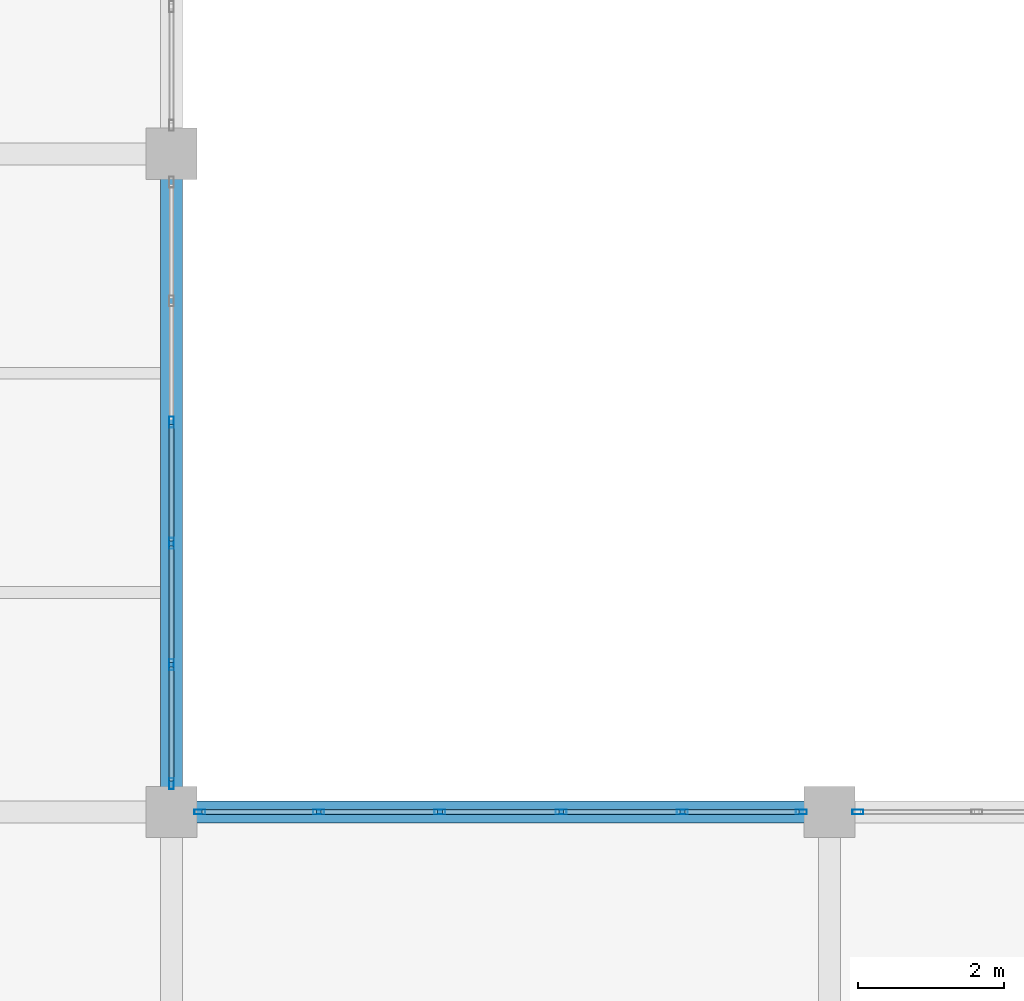
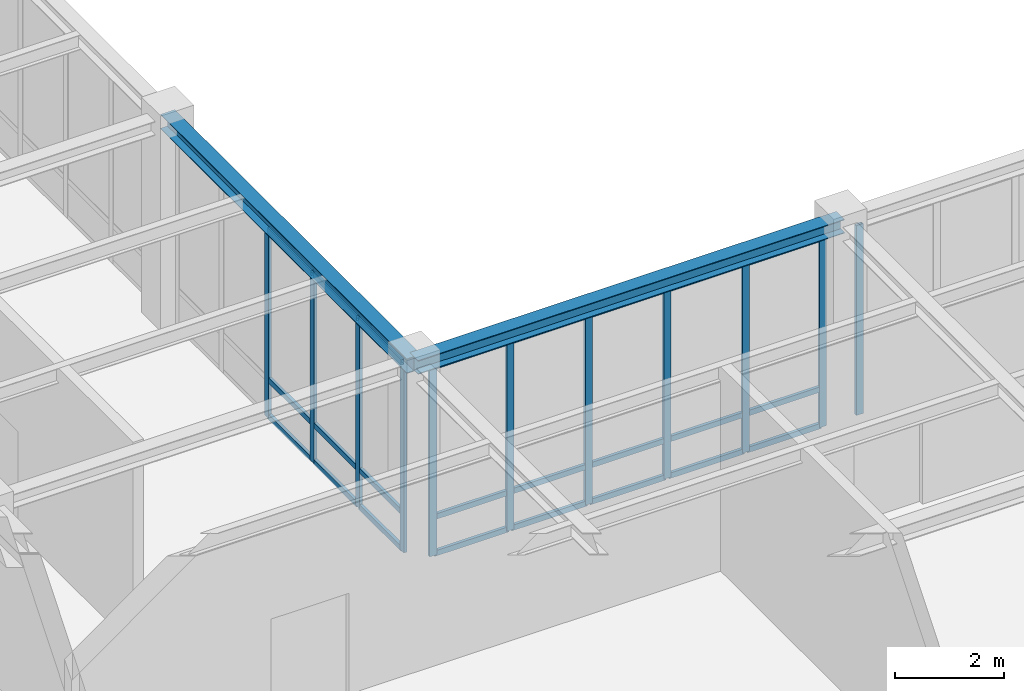
# One storey, part 30 of 98: 35 members, 2 beams, 3 elements without a shape of their own.
"""IFC4 building model written with IfcOpenShell, lengths in metres."""

import ifcopenshell
import ifcopenshell.guid

model = None  # the IFC model being written
_history = None  # IfcOwnerHistory: only IFC2X3 demands one
_inside = {}  # id of a spatial element -> (the spatial element, [elements in it])
_under = {}  # id of a project, library or spatial element -> (it, [spatial elements below it])
_declared = {}  # id of a project -> (the project, [libraries it declares])
_typed = {}  # id of a type object -> (the type object, [elements of that type])
_made_of = {}  # id of a material, layer set ... -> (it, [elements and type objects made of it])


def new_model(schema):
    """Start an empty IFC model of exactly this schema.

    Asked for "IFC4X3", IfcOpenShell would pick the latest addendum, in which some entities
    have other attributes; the version numbers below select the first issue.
    IFC2X3 requires an IfcOwnerHistory on every rooted entity: one is made here for all.
    """
    global model, _history
    if schema == "IFC4X3":
        model = ifcopenshell.file(schema_version=(4, 3, 0, 0))
    else:
        model = ifcopenshell.file(schema=schema)
    _inside.clear()
    _under.clear()
    _declared.clear()
    _typed.clear()
    _made_of.clear()
    _history = None
    if model.schema == "IFC2X3":
        org = make("IfcOrganization", Name="unknown")
        user = make(
            "IfcPersonAndOrganization",
            ThePerson=make("IfcPerson", FamilyName="unknown"),
            TheOrganization=org,
        )
        app = make(
            "IfcApplication",
            ApplicationDeveloper=org,
            Version="unknown",
            ApplicationFullName="unknown",
            ApplicationIdentifier="unknown",
        )
        _history = make(
            "IfcOwnerHistory",
            OwningUser=user,
            OwningApplication=app,
            ChangeAction="ADDED",
            CreationDate=0,
        )
    return model


def make(cls, **values):
    """One entity of the class cls with the attributes given. An attribute that is None is left unset."""
    return model.create_entity(
        cls, **{name: value for name, value in values.items() if value is not None}
    )


def rooted(cls, **values):
    """An entity with a GlobalId (a new one), such as an element, a storey or a relation."""
    return make(cls, GlobalId=ifcopenshell.guid.new(), OwnerHistory=_history, **values)


def si_unit(unit_type, name, prefix=None):
    """IfcSIUnit, for example si_unit("LENGTHUNIT", "METRE", prefix="MILLI")."""
    return make("IfcSIUnit", UnitType=unit_type, Prefix=prefix, Name=name)


def assignment(units):
    """IfcUnitAssignment: the units of a project."""
    return None if units is None else make("IfcUnitAssignment", Units=units)


def point(xyz):
    """IfcCartesianPoint."""
    return None if xyz is None else make("IfcCartesianPoint", Coordinates=xyz)


def direction(xyz):
    """IfcDirection."""
    return None if xyz is None else make("IfcDirection", DirectionRatios=xyz)


def frame(location, z_axis=None, x_axis=None):
    """IfcAxis2Placement3D, a coordinate frame: its origin and axes. An axis left out is left unset."""
    return make(
        "IfcAxis2Placement3D",
        Location=point(location),
        Axis=direction(z_axis),
        RefDirection=direction(x_axis),
    )


def frame_2d(location, x_axis=None):
    """IfcAxis2Placement2D, a coordinate frame in the plane: its origin and x axis."""
    return make(
        "IfcAxis2Placement2D", Location=point(location), RefDirection=direction(x_axis)
    )


def origin():
    """The frame at (0, 0, 0) with its axes left unset."""
    return frame((0.0, 0.0, 0.0))


def origin_2d():
    """The frame at (0, 0) in the plane with its x axis left unset."""
    return frame_2d((0.0, 0.0))


def place(relative_to, where):
    """IfcLocalPlacement: puts the frame where relative to a parent placement (None: the world)."""
    return make(
        "IfcLocalPlacement", PlacementRelTo=relative_to, RelativePlacement=where
    )


def context(
    kind, dimensions, precision=None, world=None, true_north=None, identifier=None
):
    """IfcGeometricRepresentationContext, for example the 3D "Model" context."""
    return make(
        "IfcGeometricRepresentationContext",
        ContextIdentifier=identifier,
        ContextType=kind,
        CoordinateSpaceDimension=dimensions,
        Precision=precision,
        WorldCoordinateSystem=world,
        TrueNorth=true_north,
    )


def subcontext(parent, identifier, kind, view, scale=None):
    """IfcGeometricRepresentationSubContext, for example "Body" below "Model"."""
    return make(
        "IfcGeometricRepresentationSubContext",
        ContextIdentifier=identifier,
        ContextType=kind,
        ParentContext=parent,
        TargetScale=scale,
        TargetView=view,
    )


def project(units=None, contexts=None):
    """IfcProject with its units and contexts."""
    return rooted(
        "IfcProject",
        Name="project",
        RepresentationContexts=contexts,
        UnitsInContext=assignment(units),
    )


def spatial(cls, under=None, at=None, **own):
    """A site, building, storey or space (cls), placed at a placement, below another one or the project."""
    s = rooted(cls, ObjectPlacement=at, **own)
    if under is not None:
        _under.setdefault(under.id(), (under, []))[1].append(s)
    return s


def profile(cls, at=None, kind="AREA", **sizes):
    """A parametric profile (cls). Its sizes go by their IFC names, for example OverallWidth=200.0."""
    return make(cls, ProfileType=kind, Position=at, **sizes)


def hollow_rectangle(**sizes):
    """IfcRectangleHollowProfileDef."""
    return profile("IfcRectangleHollowProfileDef", **sizes)


def i_section(**sizes):
    """IfcIShapeProfileDef."""
    return profile("IfcIShapeProfileDef", **sizes)


def extrude(swept, where, along, depth):
    """IfcExtrudedAreaSolid: the profile swept, set in the frame where, extruded along a direction by depth."""
    return make(
        "IfcExtrudedAreaSolid",
        SweptArea=swept,
        Position=where,
        ExtrudedDirection=direction(along),
        Depth=depth,
    )


def shape(context_of_items, identifier, shape_type, items):
    """IfcShapeRepresentation: the items that make up one representation, for example the "Body"."""
    return make(
        "IfcShapeRepresentation",
        ContextOfItems=context_of_items,
        RepresentationIdentifier=identifier,
        RepresentationType=shape_type,
        Items=items,
    )


def material(Name=None, Category=None):
    """IfcMaterial."""
    return make("IfcMaterial", Name=Name, Category=Category)


def material_profile(
    of_material, cross_section, Name=None, Category=None, Priority=None
):
    """IfcMaterialProfile: a cross section and its material."""
    return make(
        "IfcMaterialProfile",
        Name=Name,
        Material=of_material,
        Profile=cross_section,
        Priority=Priority,
        Category=Category,
    )


def profile_set(profiles, Name=None, composite=None):
    """IfcMaterialProfileSet."""
    return make(
        "IfcMaterialProfileSet",
        Name=Name,
        MaterialProfiles=profiles,
        CompositeProfile=composite,
    )


def made_of(thing, what):
    """Note that an element or type object is made of a material, layer set ...; save() writes the relation."""
    if what is not None:
        _made_of.setdefault(what.id(), (what, []))[1].append(thing)
    return thing


def type_object(cls, material=None, **own):
    """A type object (cls), such as IfcWallType, which elements share."""
    return made_of(rooted(cls, **own), material)


def element(
    cls,
    number,
    at=None,
    inside=None,
    cuts=None,
    type_object=None,
    material=None,
    context=None,
    identifier="Body",
    shape_type=None,
    held_by="IfcProductDefinitionShape",
    body=None,
    shapes=None,
    **own,
):
    """One element of the class cls, such as IfcWall. Its Tag is "e" and its number.

    at: its placement. inside: the storey or other place that contains it. cuts: it is an
    opening in that element (IfcRelVoidsElement). A single representation is given by context,
    identifier, shape_type and body (its items); several are given by shapes. held_by: the class
    of the entity that holds the representations. save() writes the other relations.
    """
    e = rooted(cls, Tag="e%d" % number, ObjectPlacement=at, **own)
    if body is not None:
        shapes = [shape(context, identifier, shape_type, body)]
    if shapes is not None:
        e.Representation = make(held_by, Representations=shapes)
    if inside is not None:
        _inside.setdefault(inside.id(), (inside, []))[1].append(e)
    if cuts is not None:
        rooted(
            "IfcRelVoidsElement", RelatingBuildingElement=cuts, RelatedOpeningElement=e
        )
    if type_object is not None:
        _typed.setdefault(type_object.id(), (type_object, []))[1].append(e)
    return made_of(e, material)


def aggregate(whole, parts):
    """IfcRelAggregates: a whole, such as a stair, and the parts it consists of."""
    return rooted("IfcRelAggregates", RelatingObject=whole, RelatedObjects=parts)


def save(model, path):
    """Write the relations noted so far, then the file.

    IfcRelAggregates (storeys below a building ...), IfcRelContainedInSpatialStructure (elements
    in a storey), IfcRelDefinesByType, IfcRelAssociatesMaterial and IfcRelDeclares: one each for
    every whole, place, type object, material and project.
    """
    for whole, parts in _under.values():
        aggregate(whole, parts)
    for where, things in _inside.values():
        rooted(
            "IfcRelContainedInSpatialStructure",
            RelatedElements=things,
            RelatingStructure=where,
        )
    for kind, things in _typed.values():
        rooted("IfcRelDefinesByType", RelatedObjects=things, RelatingType=kind)
    for what, things in _made_of.values():
        rooted("IfcRelAssociatesMaterial", RelatedObjects=things, RelatingMaterial=what)
    for by, libraries in _declared.values():
        rooted("IfcRelDeclares", RelatingContext=by, RelatedDefinitions=libraries)
    model.write(path)


model = new_model("IFC4")

# Units and contexts
model_context = context("Model", 3, precision=1e-05, world=origin(), true_north=direction((0.0, 1.0)))
body_context = subcontext(model_context, "Body", "Model", "MODEL_VIEW")
ifc_project = project(units=[si_unit("LENGTHUNIT", "METRE"), si_unit("AREAUNIT", "SQUARE_METRE"), si_unit("VOLUMEUNIT", "CUBIC_METRE"), si_unit("PLANEANGLEUNIT", "RADIAN"), si_unit("MASSUNIT", "GRAM", prefix="KILO")], contexts=[model_context])

# Site, building, storey
site_placement = place(None, origin())
site = spatial("IfcSite", under=ifc_project, at=site_placement, CompositionType="ELEMENT")
building_placement = place(site_placement, origin())
building = spatial("IfcBuilding", under=site, at=building_placement, Name="Lykobir Media Centre", CompositionType="ELEMENT")
storey_placement = place(building_placement, frame((0.0, 0.0, 10.199951171875)))
storey = spatial("IfcBuildingStorey", under=building, at=storey_placement, Name="L02", CompositionType="ELEMENT", Elevation=10.199951171875)

# Beam
ifc_material_1 = material(Name="Steel S355", Category="steel")
ifc_material_profile_1 = material_profile(ifc_material_1, i_section(OverallWidth=0.300048828125, OverallDepth=0.330078125, WebThickness=0.009521484375, FlangeThickness=0.0166015625, at=origin_2d()), Name="HEA 340")
ifc_profile_set_1 = profile_set([ifc_material_profile_1], Name="Steel S355")
beam_type_1 = type_object("IfcBeamType", Name="BM-HEA340", PredefinedType="BEAM", material=ifc_profile_set_1)
beam_1_placement = place(storey_placement, frame((99.0, 18.0, 4.39501953125), z_axis=(0.0, 1.0, 0.0), x_axis=(-1.0, 0.0, 0.0)))
element("IfcBeam", 1, at=beam_1_placement, inside=storey, type_object=beam_type_1, Name="Beam BM-L02-0990-0180-0990-0270-1460", PredefinedType="BEAM", context=body_context, shape_type="SweptSolid", body=[
    extrude(i_section(OverallWidth=0.300048828125, OverallDepth=0.330078125, WebThickness=0.009521484375, FlangeThickness=0.0166015625, at=origin_2d()), origin(), (0.0, 0.0, 1.0), 9.0),
])

# Curtain wall, members
ifc_material_2 = material(Name="Anodized Aluminium AW-6060", Category="aluminium")
curtain_wall_type = type_object("IfcCurtainWallType", Name="CW-COURT-A", PredefinedType="NOTDEFINED", material=ifc_material_2)
curtain_wall_1_placement = place(storey_placement, origin())
curtain_wall_1 = element("IfcCurtainWall", 2, at=curtain_wall_1_placement, inside=storey, type_object=curtain_wall_type, Name="Curtain wall CW2-L02-0099", PredefinedType="NOTDEFINED")
ifc_material_profile_2 = material_profile(ifc_material_2, hollow_rectangle(XDim=0.06494140625, YDim=0.14990234375, WallThickness=0.00341796875, at=origin_2d()), Name="ALU MULLION 65x150")
ifc_profile_set_2 = profile_set([ifc_material_profile_2], Name="Anodized Aluminium AW-6060")
member_type_1 = type_object("IfcMemberType", Name="CWM-150", PredefinedType="MULLION", material=ifc_profile_set_2)
member_1_placement = place(storey_placement, frame((99.387451171875, 18.0, 0.0), z_axis=(0.0, 0.0, 1.0), x_axis=(0.0, 1.0, 0.0)))
member_1 = element("IfcMember", 3, at=member_1_placement, type_object=member_type_1, Name="CW2-L02-0099 mullion 1", PredefinedType="MULLION", context=body_context, shape_type="SweptSolid", body=[
    extrude(hollow_rectangle(XDim=0.06494140625, YDim=0.14990234375, WallThickness=0.00341796875, at=origin_2d()), origin(), (0.0, 0.0, 1.0), 4.235107421875),
])
member_2_placement = place(storey_placement, frame((101.012939453125, 18.0, 0.0), z_axis=(0.0, 0.0, 1.0), x_axis=(0.0, 1.0, 0.0)))
member_2 = element("IfcMember", 4, at=member_2_placement, type_object=member_type_1, Name="CW2-L02-0099 mullion 2", PredefinedType="MULLION", context=body_context, shape_type="SweptSolid", body=[
    extrude(hollow_rectangle(XDim=0.06494140625, YDim=0.14990234375, WallThickness=0.00341796875, at=origin_2d()), origin(), (0.0, 0.0, 1.0), 4.235107421875),
])
member_3_placement = place(storey_placement, frame((102.6708984375, 18.0, 0.0), z_axis=(0.0, 0.0, 1.0), x_axis=(0.0, 1.0, 0.0)))
member_3 = element("IfcMember", 5, at=member_3_placement, type_object=member_type_1, Name="CW2-L02-0099 mullion 3", PredefinedType="MULLION", context=body_context, shape_type="SweptSolid", body=[
    extrude(hollow_rectangle(XDim=0.06494140625, YDim=0.14990234375, WallThickness=0.00341796875, at=origin_2d()), origin(), (0.0, 0.0, 1.0), 4.235107421875),
])
member_4_placement = place(storey_placement, frame((104.3291015625, 18.0, 0.0), z_axis=(0.0, 0.0, 1.0), x_axis=(0.0, 1.0, 0.0)))
member_4 = element("IfcMember", 6, at=member_4_placement, type_object=member_type_1, Name="CW2-L02-0099 mullion 4", PredefinedType="MULLION", context=body_context, shape_type="SweptSolid", body=[
    extrude(hollow_rectangle(XDim=0.06494140625, YDim=0.14990234375, WallThickness=0.00341796875, at=origin_2d()), origin(), (0.0, 0.0, 1.0), 4.235107421875),
])
member_5_placement = place(storey_placement, frame((105.987060546875, 18.0, 0.0), z_axis=(0.0, 0.0, 1.0), x_axis=(0.0, 1.0, 0.0)))
member_5 = element("IfcMember", 7, at=member_5_placement, type_object=member_type_1, Name="CW2-L02-0099 mullion 5", PredefinedType="MULLION", context=body_context, shape_type="SweptSolid", body=[
    extrude(hollow_rectangle(XDim=0.06494140625, YDim=0.14990234375, WallThickness=0.00341796875, at=origin_2d()), origin(), (0.0, 0.0, 1.0), 4.235107421875),
])
member_6_placement = place(storey_placement, frame((107.612548828125, 18.0, 0.0), z_axis=(0.0, 0.0, 1.0), x_axis=(0.0, 1.0, 0.0)))
member_6 = element("IfcMember", 8, at=member_6_placement, type_object=member_type_1, Name="CW2-L02-0099 mullion 6", PredefinedType="MULLION", context=body_context, shape_type="SweptSolid", body=[
    extrude(hollow_rectangle(XDim=0.06494140625, YDim=0.14990234375, WallThickness=0.00341796875, at=origin_2d()), origin(), (0.0, 0.0, 1.0), 4.235107421875),
])

# Curtain wall, member
curtain_wall_2_placement = place(storey_placement, origin())
curtain_wall_2 = element("IfcCurtainWall", 9, at=curtain_wall_2_placement, inside=storey, type_object=curtain_wall_type, Name="Curtain wall CW2-L02-0100", PredefinedType="NOTDEFINED")
member_7_placement = place(storey_placement, frame((108.387451171875, 18.0, 0.0), z_axis=(0.0, 0.0, 1.0), x_axis=(0.0, 1.0, 0.0)))
member_7 = element("IfcMember", 10, at=member_7_placement, type_object=member_type_1, Name="CW2-L02-0100 mullion 1", PredefinedType="MULLION", context=body_context, shape_type="SweptSolid", body=[
    extrude(hollow_rectangle(XDim=0.06494140625, YDim=0.14990234375, WallThickness=0.00341796875, at=origin_2d()), origin(), (0.0, 0.0, 1.0), 4.235107421875),
])
aggregate(curtain_wall_2, [member_7])

# Curtain wall, members
curtain_wall_3_placement = place(storey_placement, origin())
curtain_wall_3 = element("IfcCurtainWall", 11, at=curtain_wall_3_placement, inside=storey, type_object=curtain_wall_type, Name="Curtain wall CW2-L02-0102", PredefinedType="NOTDEFINED")
member_8_placement = place(storey_placement, frame((99.0, 23.3291015625, 0.0), z_axis=(0.0, 0.0, 1.0), x_axis=(1.0, 0.0, 0.0)))
member_8 = element("IfcMember", 12, at=member_8_placement, type_object=member_type_1, Name="CW2-L02-0102 mullion 3", PredefinedType="MULLION", context=body_context, shape_type="SweptSolid", body=[
    extrude(hollow_rectangle(XDim=0.06494140625, YDim=0.14990234375, WallThickness=0.00341796875, at=origin_2d()), origin(), (0.0, 0.0, 1.0), 4.215087890625),
])
member_9_placement = place(storey_placement, frame((99.0, 21.6708984375, 0.0), z_axis=(0.0, 0.0, 1.0), x_axis=(1.0, 0.0, 0.0)))
member_9 = element("IfcMember", 13, at=member_9_placement, type_object=member_type_1, Name="CW2-L02-0102 mullion 4", PredefinedType="MULLION", context=body_context, shape_type="SweptSolid", body=[
    extrude(hollow_rectangle(XDim=0.06494140625, YDim=0.14990234375, WallThickness=0.00341796875, at=origin_2d()), origin(), (0.0, 0.0, 1.0), 4.215087890625),
])
member_10_placement = place(storey_placement, frame((99.0, 20.012939453125, 0.0), z_axis=(0.0, 0.0, 1.0), x_axis=(1.0, 0.0, 0.0)))
member_10 = element("IfcMember", 14, at=member_10_placement, type_object=member_type_1, Name="CW2-L02-0102 mullion 5", PredefinedType="MULLION", context=body_context, shape_type="SweptSolid", body=[
    extrude(hollow_rectangle(XDim=0.06494140625, YDim=0.14990234375, WallThickness=0.00341796875, at=origin_2d()), origin(), (0.0, 0.0, 1.0), 4.215087890625),
])
member_11_placement = place(storey_placement, frame((99.0, 18.387451171875, 0.0), z_axis=(0.0, 0.0, 1.0), x_axis=(1.0, 0.0, 0.0)))
member_11 = element("IfcMember", 15, at=member_11_placement, type_object=member_type_1, Name="CW2-L02-0102 mullion 6", PredefinedType="MULLION", context=body_context, shape_type="SweptSolid", body=[
    extrude(hollow_rectangle(XDim=0.06494140625, YDim=0.14990234375, WallThickness=0.00341796875, at=origin_2d()), origin(), (0.0, 0.0, 1.0), 4.215087890625),
])

# Member
ifc_material_profile_3 = material_profile(ifc_material_2, hollow_rectangle(XDim=0.06494140625, YDim=0.1201171875, WallThickness=0.0029296875, at=origin_2d()), Name="ALU TRANSOM 65x120")
ifc_profile_set_3 = profile_set([ifc_material_profile_3], Name="Anodized Aluminium AW-6060")
member_type_2 = type_object("IfcMemberType", Name="CWT-120", PredefinedType="USERDEFINED", material=ifc_profile_set_3)
member_12_placement = place(storey_placement, frame((99.419921875, 18.0, 0.032470703125), z_axis=(1.0, 0.0, 0.0), x_axis=(0.0, 1.0, 0.0)))
member_12 = element("IfcMember", 16, at=member_12_placement, type_object=member_type_2, Name="CW2-L02-0099 transom 1.1", ObjectType="TRANSOM", PredefinedType="USERDEFINED", context=body_context, shape_type="SweptSolid", body=[
    extrude(hollow_rectangle(XDim=0.06494140625, YDim=0.1201171875, WallThickness=0.0029296875, at=origin_2d()), origin(), (0.0, 0.0, 1.0), 1.560546875),
])

member_13_placement = place(storey_placement, frame((99.419921875, 18.0, 0.85009765625), z_axis=(1.0, 0.0, 0.0), x_axis=(0.0, 1.0, 0.0)))
member_13 = element("IfcMember", 17, at=member_13_placement, type_object=member_type_2, Name="CW2-L02-0099 transom 1.2", ObjectType="TRANSOM", PredefinedType="USERDEFINED", context=body_context, shape_type="SweptSolid", body=[
    extrude(hollow_rectangle(XDim=0.06494140625, YDim=0.1201171875, WallThickness=0.0029296875, at=origin_2d()), origin(), (0.0, 0.0, 1.0), 1.560546875),
])

member_14_placement = place(storey_placement, frame((99.419921875, 18.0, 4.20263671875), z_axis=(1.0, 0.0, 0.0), x_axis=(0.0, 1.0, 0.0)))
member_14 = element("IfcMember", 18, at=member_14_placement, type_object=member_type_2, Name="CW2-L02-0099 transom 1.3", ObjectType="TRANSOM", PredefinedType="USERDEFINED", context=body_context, shape_type="SweptSolid", body=[
    extrude(hollow_rectangle(XDim=0.06494140625, YDim=0.1201171875, WallThickness=0.0029296875, at=origin_2d()), origin(), (0.0, 0.0, 1.0), 1.560546875),
])

member_15_placement = place(storey_placement, frame((101.04541015625, 18.0, 0.032470703125), z_axis=(1.0, 0.0, 0.0), x_axis=(0.0, 1.0, 0.0)))
member_15 = element("IfcMember", 19, at=member_15_placement, type_object=member_type_2, Name="CW2-L02-0099 transom 2.1", ObjectType="TRANSOM", PredefinedType="USERDEFINED", context=body_context, shape_type="SweptSolid", body=[
    extrude(hollow_rectangle(XDim=0.06494140625, YDim=0.1201171875, WallThickness=0.0029296875, at=origin_2d()), origin(), (0.0, 0.0, 1.0), 1.593017578125),
])

member_16_placement = place(storey_placement, frame((101.04541015625, 18.0, 0.85009765625), z_axis=(1.0, 0.0, 0.0), x_axis=(0.0, 1.0, 0.0)))
member_16 = element("IfcMember", 20, at=member_16_placement, type_object=member_type_2, Name="CW2-L02-0099 transom 2.2", ObjectType="TRANSOM", PredefinedType="USERDEFINED", context=body_context, shape_type="SweptSolid", body=[
    extrude(hollow_rectangle(XDim=0.06494140625, YDim=0.1201171875, WallThickness=0.0029296875, at=origin_2d()), origin(), (0.0, 0.0, 1.0), 1.593017578125),
])

member_17_placement = place(storey_placement, frame((101.04541015625, 18.0, 4.20263671875), z_axis=(1.0, 0.0, 0.0), x_axis=(0.0, 1.0, 0.0)))
member_17 = element("IfcMember", 21, at=member_17_placement, type_object=member_type_2, Name="CW2-L02-0099 transom 2.3", ObjectType="TRANSOM", PredefinedType="USERDEFINED", context=body_context, shape_type="SweptSolid", body=[
    extrude(hollow_rectangle(XDim=0.06494140625, YDim=0.1201171875, WallThickness=0.0029296875, at=origin_2d()), origin(), (0.0, 0.0, 1.0), 1.593017578125),
])

member_18_placement = place(storey_placement, frame((102.70361328125, 18.0, 0.032470703125), z_axis=(1.0, 0.0, 0.0), x_axis=(0.0, 1.0, 0.0)))
member_18 = element("IfcMember", 22, at=member_18_placement, type_object=member_type_2, Name="CW2-L02-0099 transom 3.1", ObjectType="TRANSOM", PredefinedType="USERDEFINED", context=body_context, shape_type="SweptSolid", body=[
    extrude(hollow_rectangle(XDim=0.06494140625, YDim=0.1201171875, WallThickness=0.0029296875, at=origin_2d()), origin(), (0.0, 0.0, 1.0), 1.5927734375),
])

member_19_placement = place(storey_placement, frame((102.70361328125, 18.0, 0.85009765625), z_axis=(1.0, 0.0, 0.0), x_axis=(0.0, 1.0, 0.0)))
member_19 = element("IfcMember", 23, at=member_19_placement, type_object=member_type_2, Name="CW2-L02-0099 transom 3.2", ObjectType="TRANSOM", PredefinedType="USERDEFINED", context=body_context, shape_type="SweptSolid", body=[
    extrude(hollow_rectangle(XDim=0.06494140625, YDim=0.1201171875, WallThickness=0.0029296875, at=origin_2d()), origin(), (0.0, 0.0, 1.0), 1.5927734375),
])

member_20_placement = place(storey_placement, frame((102.70361328125, 18.0, 4.20263671875), z_axis=(1.0, 0.0, 0.0), x_axis=(0.0, 1.0, 0.0)))
member_20 = element("IfcMember", 24, at=member_20_placement, type_object=member_type_2, Name="CW2-L02-0099 transom 3.3", ObjectType="TRANSOM", PredefinedType="USERDEFINED", context=body_context, shape_type="SweptSolid", body=[
    extrude(hollow_rectangle(XDim=0.06494140625, YDim=0.1201171875, WallThickness=0.0029296875, at=origin_2d()), origin(), (0.0, 0.0, 1.0), 1.5927734375),
])

member_21_placement = place(storey_placement, frame((104.361572265625, 18.0, 0.032470703125), z_axis=(1.0, 0.0, 0.0), x_axis=(0.0, 1.0, 0.0)))
member_21 = element("IfcMember", 25, at=member_21_placement, type_object=member_type_2, Name="CW2-L02-0099 transom 4.1", ObjectType="TRANSOM", PredefinedType="USERDEFINED", context=body_context, shape_type="SweptSolid", body=[
    extrude(hollow_rectangle(XDim=0.06494140625, YDim=0.1201171875, WallThickness=0.0029296875, at=origin_2d()), origin(), (0.0, 0.0, 1.0), 1.593017578125),
])

member_22_placement = place(storey_placement, frame((104.361572265625, 18.0, 0.85009765625), z_axis=(1.0, 0.0, 0.0), x_axis=(0.0, 1.0, 0.0)))
member_22 = element("IfcMember", 26, at=member_22_placement, type_object=member_type_2, Name="CW2-L02-0099 transom 4.2", ObjectType="TRANSOM", PredefinedType="USERDEFINED", context=body_context, shape_type="SweptSolid", body=[
    extrude(hollow_rectangle(XDim=0.06494140625, YDim=0.1201171875, WallThickness=0.0029296875, at=origin_2d()), origin(), (0.0, 0.0, 1.0), 1.593017578125),
])

member_23_placement = place(storey_placement, frame((104.361572265625, 18.0, 4.20263671875), z_axis=(1.0, 0.0, 0.0), x_axis=(0.0, 1.0, 0.0)))
member_23 = element("IfcMember", 27, at=member_23_placement, type_object=member_type_2, Name="CW2-L02-0099 transom 4.3", ObjectType="TRANSOM", PredefinedType="USERDEFINED", context=body_context, shape_type="SweptSolid", body=[
    extrude(hollow_rectangle(XDim=0.06494140625, YDim=0.1201171875, WallThickness=0.0029296875, at=origin_2d()), origin(), (0.0, 0.0, 1.0), 1.593017578125),
])

member_24_placement = place(storey_placement, frame((106.01953125, 18.0, 0.032470703125), z_axis=(1.0, 0.0, 0.0), x_axis=(0.0, 1.0, 0.0)))
member_24 = element("IfcMember", 28, at=member_24_placement, type_object=member_type_2, Name="CW2-L02-0099 transom 5.1", ObjectType="TRANSOM", PredefinedType="USERDEFINED", context=body_context, shape_type="SweptSolid", body=[
    extrude(hollow_rectangle(XDim=0.06494140625, YDim=0.1201171875, WallThickness=0.0029296875, at=origin_2d()), origin(), (0.0, 0.0, 1.0), 1.560546875),
])

member_25_placement = place(storey_placement, frame((106.01953125, 18.0, 0.85009765625), z_axis=(1.0, 0.0, 0.0), x_axis=(0.0, 1.0, 0.0)))
member_25 = element("IfcMember", 29, at=member_25_placement, type_object=member_type_2, Name="CW2-L02-0099 transom 5.2", ObjectType="TRANSOM", PredefinedType="USERDEFINED", context=body_context, shape_type="SweptSolid", body=[
    extrude(hollow_rectangle(XDim=0.06494140625, YDim=0.1201171875, WallThickness=0.0029296875, at=origin_2d()), origin(), (0.0, 0.0, 1.0), 1.560546875),
])

member_26_placement = place(storey_placement, frame((106.01953125, 18.0, 4.20263671875), z_axis=(1.0, 0.0, 0.0), x_axis=(0.0, 1.0, 0.0)))
member_26 = element("IfcMember", 30, at=member_26_placement, type_object=member_type_2, Name="CW2-L02-0099 transom 5.3", ObjectType="TRANSOM", PredefinedType="USERDEFINED", context=body_context, shape_type="SweptSolid", body=[
    extrude(hollow_rectangle(XDim=0.06494140625, YDim=0.1201171875, WallThickness=0.0029296875, at=origin_2d()), origin(), (0.0, 0.0, 1.0), 1.560546875),
])

aggregate(curtain_wall_1, [member_1, member_2, member_3, member_4, member_5, member_6, member_12, member_13, member_14, member_15, member_16, member_17, member_18, member_19, member_20, member_21, member_22, member_23, member_24, member_25, member_26])

member_27_placement = place(storey_placement, frame((99.0, 23.29638671875, 0.032470703125), z_axis=(0.0, -1.0, 0.0), x_axis=(1.0, 0.0, 0.0)))
member_27 = element("IfcMember", 31, at=member_27_placement, type_object=member_type_2, Name="CW2-L02-0102 transom 3.1", ObjectType="TRANSOM", PredefinedType="USERDEFINED", context=body_context, shape_type="SweptSolid", body=[
    extrude(hollow_rectangle(XDim=0.06494140625, YDim=0.1201171875, WallThickness=0.0029296875, at=origin_2d()), origin(), (0.0, 0.0, 1.0), 1.5927734375),
])

member_28_placement = place(storey_placement, frame((99.0, 23.29638671875, 0.85009765625), z_axis=(0.0, -1.0, 0.0), x_axis=(1.0, 0.0, 0.0)))
member_28 = element("IfcMember", 32, at=member_28_placement, type_object=member_type_2, Name="CW2-L02-0102 transom 3.2", ObjectType="TRANSOM", PredefinedType="USERDEFINED", context=body_context, shape_type="SweptSolid", body=[
    extrude(hollow_rectangle(XDim=0.06494140625, YDim=0.1201171875, WallThickness=0.0029296875, at=origin_2d()), origin(), (0.0, 0.0, 1.0), 1.5927734375),
])

member_29_placement = place(storey_placement, frame((99.0, 23.29638671875, 4.1826171875), z_axis=(0.0, -1.0, 0.0), x_axis=(1.0, 0.0, 0.0)))
member_29 = element("IfcMember", 33, at=member_29_placement, type_object=member_type_2, Name="CW2-L02-0102 transom 3.3", ObjectType="TRANSOM", PredefinedType="USERDEFINED", context=body_context, shape_type="SweptSolid", body=[
    extrude(hollow_rectangle(XDim=0.06494140625, YDim=0.1201171875, WallThickness=0.0029296875, at=origin_2d()), origin(), (0.0, 0.0, 1.0), 1.5927734375),
])

member_30_placement = place(storey_placement, frame((99.0, 21.638427734375, 0.032470703125), z_axis=(0.0, -1.0, 0.0), x_axis=(1.0, 0.0, 0.0)))
member_30 = element("IfcMember", 34, at=member_30_placement, type_object=member_type_2, Name="CW2-L02-0102 transom 4.1", ObjectType="TRANSOM", PredefinedType="USERDEFINED", context=body_context, shape_type="SweptSolid", body=[
    extrude(hollow_rectangle(XDim=0.06494140625, YDim=0.1201171875, WallThickness=0.0029296875, at=origin_2d()), origin(), (0.0, 0.0, 1.0), 1.593017578125),
])

member_31_placement = place(storey_placement, frame((99.0, 21.638427734375, 0.85009765625), z_axis=(0.0, -1.0, 0.0), x_axis=(1.0, 0.0, 0.0)))
member_31 = element("IfcMember", 35, at=member_31_placement, type_object=member_type_2, Name="CW2-L02-0102 transom 4.2", ObjectType="TRANSOM", PredefinedType="USERDEFINED", context=body_context, shape_type="SweptSolid", body=[
    extrude(hollow_rectangle(XDim=0.06494140625, YDim=0.1201171875, WallThickness=0.0029296875, at=origin_2d()), origin(), (0.0, 0.0, 1.0), 1.593017578125),
])

member_32_placement = place(storey_placement, frame((99.0, 21.638427734375, 4.1826171875), z_axis=(0.0, -1.0, 0.0), x_axis=(1.0, 0.0, 0.0)))
member_32 = element("IfcMember", 36, at=member_32_placement, type_object=member_type_2, Name="CW2-L02-0102 transom 4.3", ObjectType="TRANSOM", PredefinedType="USERDEFINED", context=body_context, shape_type="SweptSolid", body=[
    extrude(hollow_rectangle(XDim=0.06494140625, YDim=0.1201171875, WallThickness=0.0029296875, at=origin_2d()), origin(), (0.0, 0.0, 1.0), 1.593017578125),
])

member_33_placement = place(storey_placement, frame((99.0, 19.98046875, 0.032470703125), z_axis=(0.0, -1.0, 0.0), x_axis=(1.0, 0.0, 0.0)))
member_33 = element("IfcMember", 37, at=member_33_placement, type_object=member_type_2, Name="CW2-L02-0102 transom 5.1", ObjectType="TRANSOM", PredefinedType="USERDEFINED", context=body_context, shape_type="SweptSolid", body=[
    extrude(hollow_rectangle(XDim=0.06494140625, YDim=0.1201171875, WallThickness=0.0029296875, at=origin_2d()), origin(), (0.0, 0.0, 1.0), 1.560546875),
])

member_34_placement = place(storey_placement, frame((99.0, 19.98046875, 0.85009765625), z_axis=(0.0, -1.0, 0.0), x_axis=(1.0, 0.0, 0.0)))
member_34 = element("IfcMember", 38, at=member_34_placement, type_object=member_type_2, Name="CW2-L02-0102 transom 5.2", ObjectType="TRANSOM", PredefinedType="USERDEFINED", context=body_context, shape_type="SweptSolid", body=[
    extrude(hollow_rectangle(XDim=0.06494140625, YDim=0.1201171875, WallThickness=0.0029296875, at=origin_2d()), origin(), (0.0, 0.0, 1.0), 1.560546875),
])

member_35_placement = place(storey_placement, frame((99.0, 19.98046875, 4.1826171875), z_axis=(0.0, -1.0, 0.0), x_axis=(1.0, 0.0, 0.0)))
member_35 = element("IfcMember", 39, at=member_35_placement, type_object=member_type_2, Name="CW2-L02-0102 transom 5.3", ObjectType="TRANSOM", PredefinedType="USERDEFINED", context=body_context, shape_type="SweptSolid", body=[
    extrude(hollow_rectangle(XDim=0.06494140625, YDim=0.1201171875, WallThickness=0.0029296875, at=origin_2d()), origin(), (0.0, 0.0, 1.0), 1.560546875),
])

aggregate(curtain_wall_3, [member_8, member_9, member_10, member_11, member_27, member_28, member_29, member_30, member_31, member_32, member_33, member_34, member_35])

# Beam
ifc_material_profile_4 = material_profile(ifc_material_1, i_section(OverallWidth=0.300048828125, OverallDepth=0.31005859375, WebThickness=0.009033203125, FlangeThickness=0.015380859375, at=origin_2d()), Name="HEA 320")
ifc_profile_set_4 = profile_set([ifc_material_profile_4], Name="Steel S355")
beam_type_2 = type_object("IfcBeamType", Name="SP-HEA320", PredefinedType="SPANDREL", material=ifc_profile_set_4)
beam_2_placement = place(storey_placement, frame((99.0, 18.0, 4.405029296875), z_axis=(1.0, 0.0, 0.0), x_axis=(0.0, 1.0, 0.0)))
element("IfcBeam", 40, at=beam_2_placement, inside=storey, type_object=beam_type_2, Name="Beam BM-L02-0990-0180-1080-0180-1460", PredefinedType="SPANDREL", context=body_context, shape_type="SweptSolid", body=[
    extrude(i_section(OverallWidth=0.300048828125, OverallDepth=0.31005859375, WebThickness=0.009033203125, FlangeThickness=0.015380859375, at=origin_2d()), origin(), (0.0, 0.0, 1.0), 9.0),
])

save(model, "model.ifc")
